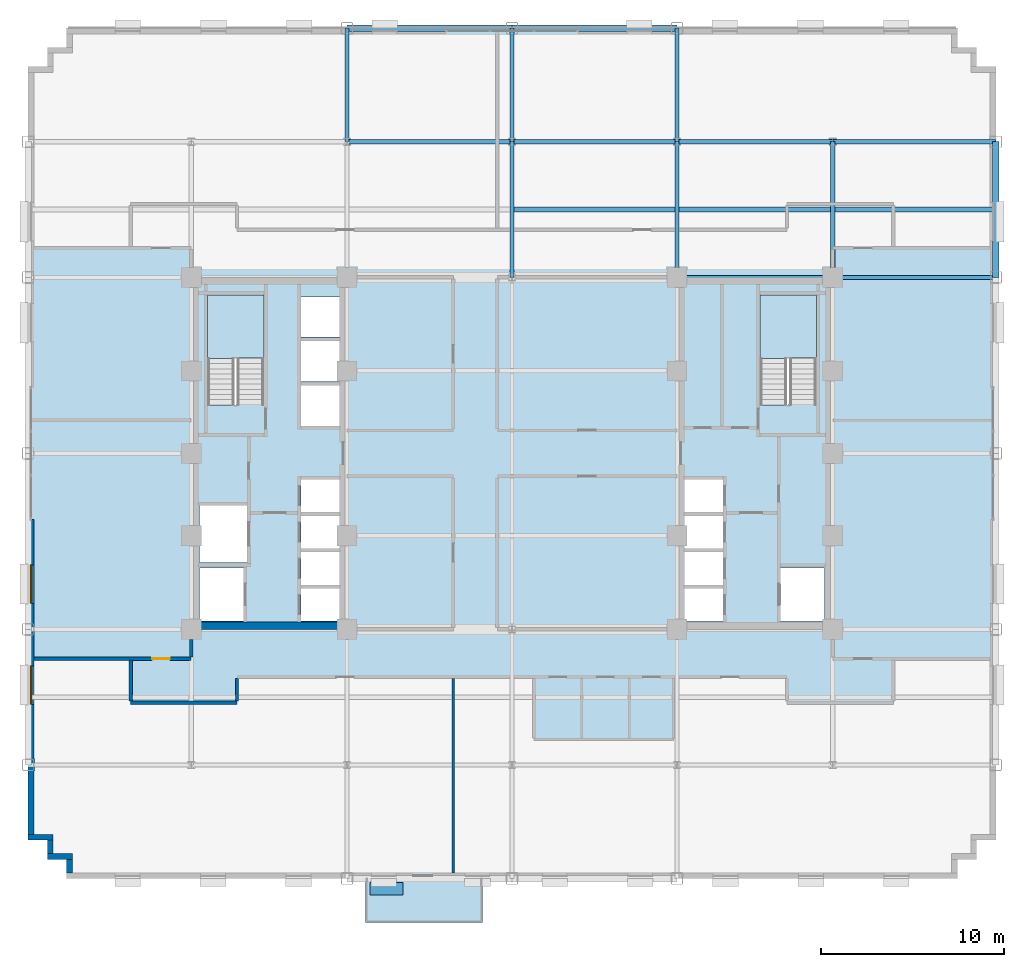
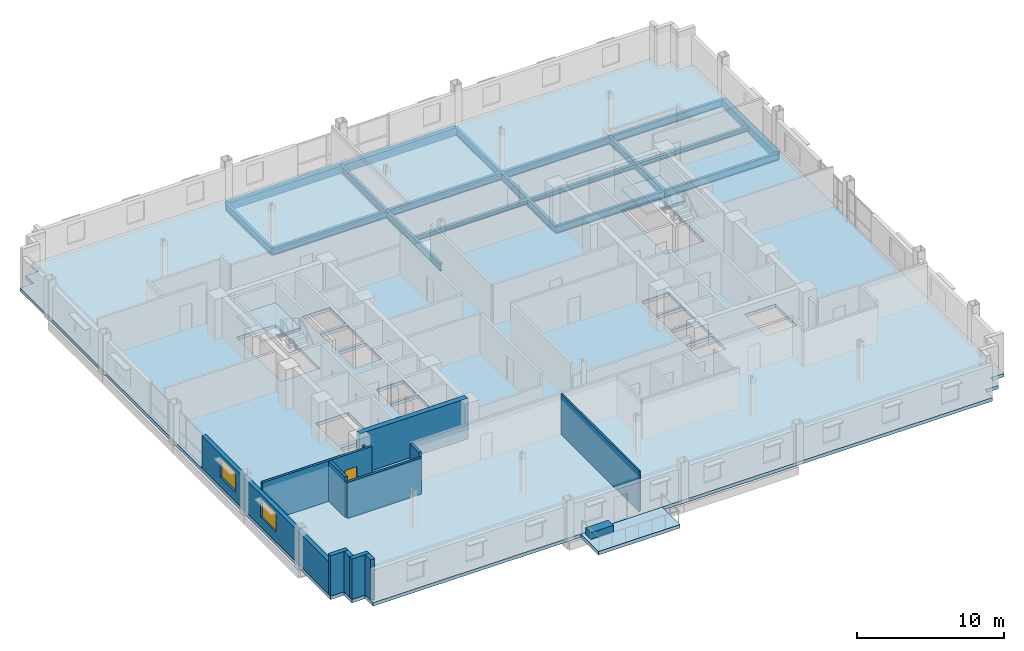
# One storey, part 5 of 17: 18 beams, 12 walls, 4 slabs, 2 windows, 1 door, 1 plate, 3 openings, 2 elements without a shape of their own.
"""IFC4 building model written with IfcOpenShell, lengths in metres."""

from ifc_helpers import new_model, si_unit, direction, frame, frame_2d, origin, origin_2d, place, context, subcontext, project, spatial, polyline, rectangle, i_section, outline, extrude, source, transform, mapped, material, layer, layer_set, material_profile, profile_set, type_object, type_shapes, element, fill, aggregate, save


model = new_model("IFC4")

# Units and contexts
model_context = context("Model", 3, precision=1e-05, world=origin(), true_north=direction((0.0, 1.0)))
body_context = subcontext(model_context, "Body", "Model", "MODEL_VIEW")
ifc_project = project(units=[si_unit("LENGTHUNIT", "METRE"), si_unit("AREAUNIT", "SQUARE_METRE"), si_unit("VOLUMEUNIT", "CUBIC_METRE"), si_unit("PLANEANGLEUNIT", "RADIAN"), si_unit("MASSUNIT", "GRAM", prefix="KILO")], contexts=[model_context])

# Site, building, storey
site_placement = place(None, origin())
site = spatial("IfcSite", under=ifc_project, at=site_placement, CompositionType="ELEMENT")
building_placement = place(site_placement, origin())
building = spatial("IfcBuilding", under=site, at=building_placement, Name="Nuvemarco Arch Tower", CompositionType="ELEMENT")
storey_placement = place(building_placement, frame((0.0, 0.0, 120.199951171875)))
storey = spatial("IfcBuildingStorey", under=building, at=storey_placement, Name="L31", CompositionType="ELEMENT", Elevation=120.199951171875)

# Beams
ifc_material_1 = material(Name="Steel S355", Category="steel")
ifc_material_profile_1 = material_profile(ifc_material_1, i_section(OverallWidth=0.22998046875, OverallDepth=0.616943359375, WebThickness=0.01318359375, FlangeThickness=0.022216796875, FilletRadius=0.01611328125, at=origin_2d()), Name="W610x140")
ifc_profile_set_1 = profile_set([ifc_material_profile_1], Name="Steel S355")
beam_type_1 = type_object("IfcBeamType", Name="BM-GIRD-610", PredefinedType="BEAM", material=ifc_profile_set_1)
beam_1_placement = place(storey_placement, frame((-9.0, 17.0, -0.58837890625), z_axis=(0.0, 1.0, 0.0), x_axis=(-1.0, 0.0, 0.0)))
element("IfcBeam", 1, at=beam_1_placement, inside=storey, type_object=beam_type_1, Name="L31 structural beam BGNS_L31_0_-9.0_+17.0", PredefinedType="BEAM", context=body_context, shape_type="SweptSolid", body=[
    extrude(i_section(OverallWidth=0.22998046875, OverallDepth=0.616943359375, WebThickness=0.01318359375, FlangeThickness=0.022216796875, FilletRadius=0.01611328125, at=origin_2d()), origin(), (0.0, 0.0, 1.0), 6.199951171875),
])
beam_2_placement = place(storey_placement, frame((0.0, 9.60009765625, -0.58837890625), z_axis=(0.0, 1.0, 0.0), x_axis=(-1.0, 0.0, 0.0)))
element("IfcBeam", 2, at=beam_2_placement, inside=storey, type_object=beam_type_1, Name="L31 structural beam BGNS_L31_0_+0.0_+9.6", PredefinedType="BEAM", context=body_context, shape_type="SweptSolid", body=[
    extrude(i_section(OverallWidth=0.22998046875, OverallDepth=0.616943359375, WebThickness=0.01318359375, FlangeThickness=0.022216796875, FilletRadius=0.01611328125, at=origin_2d()), origin(), (0.0, 0.0, 1.0), 7.39990234375),
])
beam_3_placement = place(storey_placement, frame((0.0, 17.0, -0.58837890625), z_axis=(0.0, 1.0, 0.0), x_axis=(-1.0, 0.0, 0.0)))
element("IfcBeam", 3, at=beam_3_placement, inside=storey, type_object=beam_type_1, Name="L31 structural beam BGNS_L31_0_+0.0_+17.0", PredefinedType="BEAM", context=body_context, shape_type="SweptSolid", body=[
    extrude(i_section(OverallWidth=0.22998046875, OverallDepth=0.616943359375, WebThickness=0.01318359375, FlangeThickness=0.022216796875, FilletRadius=0.01611328125, at=origin_2d()), origin(), (0.0, 0.0, 1.0), 6.199951171875),
])
beam_4_placement = place(storey_placement, frame((9.0, 9.60009765625, -0.58837890625), z_axis=(0.0, 1.0, 0.0), x_axis=(-1.0, 0.0, 0.0)))
element("IfcBeam", 4, at=beam_4_placement, inside=storey, type_object=beam_type_1, Name="L31 structural beam BGNS_L31_0_+9.0_+9.6", PredefinedType="BEAM", context=body_context, shape_type="SweptSolid", body=[
    extrude(i_section(OverallWidth=0.22998046875, OverallDepth=0.616943359375, WebThickness=0.01318359375, FlangeThickness=0.022216796875, FilletRadius=0.01611328125, at=origin_2d()), origin(), (0.0, 0.0, 1.0), 7.39990234375),
])
beam_5_placement = place(storey_placement, frame((9.0, 17.0, -0.58837890625), z_axis=(0.0, 1.0, 0.0), x_axis=(-1.0, 0.0, 0.0)))
element("IfcBeam", 5, at=beam_5_placement, inside=storey, type_object=beam_type_1, Name="L31 structural beam BGNS_L31_0_+9.0_+17.0", PredefinedType="BEAM", context=body_context, shape_type="SweptSolid", body=[
    extrude(i_section(OverallWidth=0.22998046875, OverallDepth=0.616943359375, WebThickness=0.01318359375, FlangeThickness=0.022216796875, FilletRadius=0.01611328125, at=origin_2d()), origin(), (0.0, 0.0, 1.0), 6.199951171875),
])
beam_6_placement = place(storey_placement, frame((17.5, 9.60009765625, -0.58837890625), z_axis=(0.0, 1.0, 0.0), x_axis=(-1.0, 0.0, 0.0)))
element("IfcBeam", 6, at=beam_6_placement, inside=storey, type_object=beam_type_1, Name="L31 structural beam BGNS_L31_0_+17.5_+9.6", PredefinedType="BEAM", context=body_context, shape_type="SweptSolid", body=[
    extrude(i_section(OverallWidth=0.22998046875, OverallDepth=0.616943359375, WebThickness=0.01318359375, FlangeThickness=0.022216796875, FilletRadius=0.01611328125, at=origin_2d()), origin(), (0.0, 0.0, 1.0), 7.39990234375),
])
beam_7_placement = place(storey_placement, frame((9.0, 9.60009765625, -0.58837890625), z_axis=(1.0, 0.0, 0.0), x_axis=(0.0, 1.0, 0.0)))
element("IfcBeam", 7, at=beam_7_placement, inside=storey, type_object=beam_type_1, Name="L31 structural beam BGEW_L31_0_+9.6_+9.0", PredefinedType="BEAM", context=body_context, shape_type="SweptSolid", body=[
    extrude(i_section(OverallWidth=0.22998046875, OverallDepth=0.616943359375, WebThickness=0.01318359375, FlangeThickness=0.022216796875, FilletRadius=0.01611328125, at=origin_2d()), origin(), (0.0, 0.0, 1.0), 8.5),
])
beam_8_placement = place(storey_placement, frame((17.5, 9.60009765625, -0.58837890625), z_axis=(1.0, 0.0, 0.0), x_axis=(0.0, 1.0, 0.0)))
element("IfcBeam", 8, at=beam_8_placement, inside=storey, type_object=beam_type_1, Name="L31 structural beam BGEW_L31_0_+9.6_+17.5", PredefinedType="BEAM", context=body_context, shape_type="SweptSolid", body=[
    extrude(i_section(OverallWidth=0.22998046875, OverallDepth=0.616943359375, WebThickness=0.01318359375, FlangeThickness=0.022216796875, FilletRadius=0.01611328125, at=origin_2d()), origin(), (0.0, 0.0, 1.0), 8.89990234375),
])
for number, where, z_axis, x_axis, name in (
    (9, (-9.0, 17.0, -0.58837890625), (1.0, 0.0, 0.0), (0.0, 1.0, 0.0), "L31 structural beam BGEW_L31_0_+17.0_-9.0"),
    (10, (0.0, 17.0, -0.58837890625), (1.0, 0.0, 0.0), (0.0, 1.0, 0.0), "L31 structural beam BGEW_L31_0_+17.0_+0.0"),
):
    element("IfcBeam", number, at=place(storey_placement, frame(where, z_axis=z_axis, x_axis=x_axis)), inside=storey, type_object=beam_type_1, Name=name, PredefinedType="BEAM", context=body_context, shape_type="SweptSolid", body=[
        extrude(i_section(OverallWidth=0.22998046875, OverallDepth=0.616943359375, WebThickness=0.01318359375, FlangeThickness=0.022216796875, FilletRadius=0.01611328125, at=origin_2d()), origin(), (0.0, 0.0, 1.0), 9.0),
    ])
beam_9_placement = place(storey_placement, frame((9.0, 17.0, -0.58837890625), z_axis=(1.0, 0.0, 0.0), x_axis=(0.0, 1.0, 0.0)))
element("IfcBeam", 11, at=beam_9_placement, inside=storey, type_object=beam_type_1, Name="L31 structural beam BGEW_L31_0_+17.0_+9.0", PredefinedType="BEAM", context=body_context, shape_type="SweptSolid", body=[
    extrude(i_section(OverallWidth=0.22998046875, OverallDepth=0.616943359375, WebThickness=0.01318359375, FlangeThickness=0.022216796875, FilletRadius=0.01611328125, at=origin_2d()), origin(), (0.0, 0.0, 1.0), 8.5),
])
beam_10_placement = place(storey_placement, frame((17.5, 17.0, -0.58837890625), z_axis=(1.0, 0.0, 0.0), x_axis=(0.0, 1.0, 0.0)))
element("IfcBeam", 12, at=beam_10_placement, inside=storey, type_object=beam_type_1, Name="L31 structural beam BGEW_L31_0_+17.0_+17.5", PredefinedType="BEAM", context=body_context, shape_type="SweptSolid", body=[
    extrude(i_section(OverallWidth=0.22998046875, OverallDepth=0.616943359375, WebThickness=0.01318359375, FlangeThickness=0.022216796875, FilletRadius=0.01611328125, at=origin_2d()), origin(), (0.0, 0.0, 1.0), 8.89990234375),
])
ifc_material_profile_2 = material_profile(ifc_material_1, i_section(OverallWidth=0.2548828125, OverallDepth=0.35693359375, WebThickness=0.010498046875, FlangeThickness=0.018310546875, FilletRadius=0.014892578125, at=origin_2d()), Name="W360x101")
ifc_profile_set_2 = profile_set([ifc_material_profile_2], Name="Steel S355")
beam_type_2 = type_object("IfcBeamType", Name="BM-JOIST-360H", PredefinedType="JOIST", material=ifc_profile_set_2)
beam_11_placement = place(storey_placement, frame((0.114990234375, 13.300048828125, -0.45849609375), z_axis=(1.0, 0.0, 0.0), x_axis=(0.0, 1.0, 0.0)))
element("IfcBeam", 13, at=beam_11_placement, inside=storey, type_object=beam_type_2, Name="L31 structural beam BJ_L31_0_+13.3_+0.0", PredefinedType="JOIST", context=body_context, shape_type="SweptSolid", body=[
    extrude(i_section(OverallWidth=0.2548828125, OverallDepth=0.35693359375, WebThickness=0.010498046875, FlangeThickness=0.018310546875, FilletRadius=0.014892578125, at=origin_2d()), origin(), (0.0, 0.0, 1.0), 8.77001953125),
])
beam_12_placement = place(storey_placement, frame((9.114990234375, 13.300048828125, -0.45849609375), z_axis=(1.0, 0.0, 0.0), x_axis=(0.0, 1.0, 0.0)))
element("IfcBeam", 14, at=beam_12_placement, inside=storey, type_object=beam_type_2, Name="L31 structural beam BJ_L31_0_+13.3_+9.0", PredefinedType="JOIST", context=body_context, shape_type="SweptSolid", body=[
    extrude(i_section(OverallWidth=0.2548828125, OverallDepth=0.35693359375, WebThickness=0.010498046875, FlangeThickness=0.018310546875, FilletRadius=0.014892578125, at=origin_2d()), origin(), (0.0, 0.0, 1.0), 8.27001953125),
])
beam_13_placement = place(storey_placement, frame((17.614990234375, 13.300048828125, -0.45849609375), z_axis=(1.0, 0.0, 0.0), x_axis=(0.0, 1.0, 0.0)))
element("IfcBeam", 15, at=beam_13_placement, inside=storey, type_object=beam_type_2, Name="L31 structural beam BJ_L31_0_+13.3_+17.5", PredefinedType="JOIST", context=body_context, shape_type="SweptSolid", body=[
    extrude(i_section(OverallWidth=0.2548828125, OverallDepth=0.35693359375, WebThickness=0.010498046875, FlangeThickness=0.018310546875, FilletRadius=0.014892578125, at=origin_2d()), origin(), (0.0, 0.0, 1.0), 8.610107421875),
])
ifc_material_2 = material(Name="Precast concrete C45/55", Category="concrete")
ifc_material_profile_3 = material_profile(ifc_material_2, rectangle(XDim=0.35009765625, YDim=0.64990234375, at=origin_2d()), Name="PC-SP-350x650")
ifc_profile_set_3 = profile_set([ifc_material_profile_3], Name="Precast concrete C45/55")
beam_type_3 = type_object("IfcBeamType", Name="BM-SPAN-RC", PredefinedType="SPANDREL", material=ifc_profile_set_3)
beam_14_placement = place(storey_placement, frame((26.39990234375, 9.60009765625, -0.60498046875), z_axis=(0.0, 1.0, 0.0), x_axis=(-1.0, 0.0, 0.0)))
element("IfcBeam", 16, at=beam_14_placement, inside=storey, type_object=beam_type_3, Name="L31 structural beam BGNS_L31_0_+26.4_+9.6", PredefinedType="SPANDREL", context=body_context, shape_type="SweptSolid", body=[
    extrude(rectangle(XDim=0.35009765625, YDim=0.64990234375, at=origin_2d()), origin(), (0.0, 0.0, 1.0), 7.39990234375),
])
for number, where, z_axis, x_axis, name in (
    (17, (-9.0, 23.199951171875, -0.60498046875), (1.0, 0.0, 0.0), (0.0, 1.0, 0.0), "L31 structural beam BGEW_L31_0_+23.2_-9.0"),
    (18, (0.0, 23.199951171875, -0.60498046875), (1.0, 0.0, 0.0), (0.0, 1.0, 0.0), "L31 structural beam BGEW_L31_0_+23.2_+0.0"),
):
    element("IfcBeam", number, at=place(storey_placement, frame(where, z_axis=z_axis, x_axis=x_axis)), inside=storey, type_object=beam_type_3, Name=name, PredefinedType="SPANDREL", context=body_context, shape_type="SweptSolid", body=[
        extrude(rectangle(XDim=0.35009765625, YDim=0.64990234375, at=origin_2d()), origin(), (0.0, 0.0, 1.0), 9.0),
    ])

# Slab
ifc_material_3 = material(Name="Concrete C50/60", Category="concrete")
ifc_layer_1 = layer(ifc_material_3, 0.280029296875, Name="SL-FLR-280")
ifc_layer_set_1 = layer_set([ifc_layer_1], Name="Concrete C50/60")
slab_type_1 = type_object("IfcSlabType", Name="SL-FLR-280", PredefinedType="FLOOR", material=ifc_layer_set_1)
slab_1_placement = place(storey_placement, frame((0.0, 0.0, -0.280029296875)))
element("IfcSlab", 19, at=slab_1_placement, inside=storey, type_object=slab_type_1, Name="L31 structural floor slab", PredefinedType="FLOOR", context=body_context, shape_type="SweptSolid", body=[
    extrude(outline(polyline([(-24.300048828125, -23.199951171875), (24.300048828125, -23.199951171875), (24.300048828125, -22.14990234375), (25.35009765625, -22.14990234375), (25.35009765625, -21.10009765625), (26.39990234375, -21.10009765625), (26.39990234375, 21.10009765625), (25.35009765625, 21.10009765625), (25.35009765625, 22.14990234375), (24.300048828125, 22.14990234375), (24.300048828125, 23.199951171875), (-24.300048828125, 23.199951171875), (-24.300048828125, 22.14990234375), (-25.35009765625, 22.14990234375), (-25.35009765625, 21.10009765625), (-26.39990234375, 21.10009765625), (-26.39990234375, -21.10009765625), (-25.35009765625, -21.10009765625), (-25.35009765625, -22.14990234375), (-24.300048828125, -22.14990234375), (-24.300048828125, -23.199951171875)]), holes=[polyline([(-13.5400390625, 2.669921875), (-13.5400390625, 8.64990234375), (-16.60009765625, 8.64990234375), (-16.60009765625, 2.630615234375), (-15.070068359375, 2.630615234375), (-15.070068359375, 2.669921875), (-13.5400390625, 2.669921875)]), polyline([(16.60009765625, 2.669921875), (16.60009765625, 8.64990234375), (13.5400390625, 8.64990234375), (13.5400390625, 2.630615234375), (15.070068359375, 2.630615234375), (15.070068359375, 2.669921875), (16.60009765625, 2.669921875)]), polyline([(-17.050048828125, -9.14990234375), (-14.64990234375, -9.14990234375), (-14.64990234375, -6.25), (-17.050048828125, -6.25), (-17.050048828125, -9.14990234375)]), polyline([(-17.050048828125, -5.949951171875), (-14.449951171875, -5.949951171875), (-14.449951171875, -2.85009765625), (-17.050048828125, -2.85009765625), (-17.050048828125, -5.949951171875)]), polyline([(-11.5, -9.14990234375), (-9.35009765625, -9.14990234375), (-9.35009765625, -7.3701171875), (-11.5, -7.3701171875), (-11.5, -9.14990234375)]), polyline([(-11.5, -7.169921875), (-9.35009765625, -7.169921875), (-9.35009765625, -5.389892578125), (-11.5, -5.389892578125), (-11.5, -7.169921875)]), polyline([(-11.5, -5.18994140625), (-9.35009765625, -5.18994140625), (-9.35009765625, -3.409912109375), (-11.5, -3.409912109375), (-11.5, -5.18994140625)]), polyline([(-11.5, -3.2099609375), (-9.35009765625, -3.2099609375), (-9.35009765625, -1.429931640625), (-11.5, -1.429931640625), (-11.5, -3.2099609375)]), polyline([(-11.5, 1.5), (-9.35009765625, 1.5), (-9.35009765625, 3.699951171875), (-11.5, 3.699951171875), (-11.5, 1.5)]), polyline([(-11.5, 3.919921875), (-9.35009765625, 3.919921875), (-9.35009765625, 6.1201171875), (-11.5, 6.1201171875), (-11.5, 3.919921875)]), polyline([(-11.5, 6.340087890625), (-9.35009765625, 6.340087890625), (-9.35009765625, 8.5400390625), (-11.5, 8.5400390625), (-11.5, 6.340087890625)]), polyline([(14.64990234375, -9.14990234375), (17.050048828125, -9.14990234375), (17.050048828125, -6.25), (14.64990234375, -6.25), (14.64990234375, -9.14990234375)]), polyline([(9.35009765625, -9.14990234375), (11.5, -9.14990234375), (11.5, -7.3701171875), (9.35009765625, -7.3701171875), (9.35009765625, -9.14990234375)]), polyline([(9.35009765625, -7.169921875), (11.5, -7.169921875), (11.5, -5.389892578125), (9.35009765625, -5.389892578125), (9.35009765625, -7.169921875)]), polyline([(9.35009765625, -5.18994140625), (11.5, -5.18994140625), (11.5, -3.409912109375), (9.35009765625, -3.409912109375), (9.35009765625, -5.18994140625)]), polyline([(9.35009765625, -3.2099609375), (11.5, -3.2099609375), (11.5, -1.429931640625), (9.35009765625, -1.429931640625), (9.35009765625, -3.2099609375)])]), origin(), (0.0, 0.0, 1.0), 0.280029296875),
])

# Stair, slab
stair_type = type_object("IfcStairType", Name="ST-CORE-20R", PredefinedType="HALF_TURN_STAIR", material=ifc_material_2)
stair_1_placement = place(storey_placement, origin())
stair_1 = element("IfcStair", 20, at=stair_1_placement, inside=storey, type_object=stair_type, Name="L31 Protected Exit Stair ST-1", PredefinedType="HALF_TURN_STAIR")
ifc_layer_2 = layer(ifc_material_2, 0.199951171875, Name="SL-LANDING-200")
ifc_layer_set_2 = layer_set([ifc_layer_2], Name="Precast concrete C45/55")
slab_type_2 = type_object("IfcSlabType", Name="SL-LANDING-200", PredefinedType="LANDING", material=ifc_layer_set_2)
slab_2_placement = place(storey_placement, frame((0.0, 0.0, 1.625)))
slab_2 = element("IfcSlab", 21, at=slab_2_placement, type_object=slab_type_2, Name="ST-20R landing 1", PredefinedType="LANDING", context=body_context, shape_type="SweptSolid", body=[
    extrude(outline(polyline([(-13.5400390625, 5.189453125), (-13.5400390625, 8.64990234375), (-16.60009765625, 8.64990234375), (-16.60009765625, 5.169921875), (-15.070068359375, 5.169921875), (-15.070068359375, 5.189453125), (-13.5400390625, 5.189453125)])), origin(), (0.0, 0.0, 1.0), 0.199951171875),
])
aggregate(stair_1, [slab_2])

stair_2_placement = place(storey_placement, origin())
stair_2 = element("IfcStair", 22, at=stair_2_placement, inside=storey, type_object=stair_type, Name="L31 Protected Exit Stair ST-2", PredefinedType="HALF_TURN_STAIR")
slab_3_placement = place(storey_placement, frame((0.0, 0.0, 1.625)))
slab_3 = element("IfcSlab", 23, at=slab_3_placement, type_object=slab_type_2, Name="ST-20R landing 1", PredefinedType="LANDING", context=body_context, shape_type="SweptSolid", body=[
    extrude(outline(polyline([(16.60009765625, 5.189453125), (16.60009765625, 8.64990234375), (13.5400390625, 8.64990234375), (13.5400390625, 5.169921875), (15.070068359375, 5.169921875), (15.070068359375, 5.189453125), (16.60009765625, 5.189453125)])), origin(), (0.0, 0.0, 1.0), 0.199951171875),
])
aggregate(stair_2, [slab_3])

# Slab
ifc_layer_3 = layer(ifc_material_3, 0.294921875, Name="SL-TR4")
ifc_layer_set_3 = layer_set([ifc_layer_3], Name="Concrete C50/60")
slab_type_3 = type_object("IfcSlabType", Name="SL-TR4", PredefinedType="FLOOR", material=ifc_layer_set_3)
slab_4_placement = place(storey_placement, frame((0.0, 0.0, -0.294921875)))
element("IfcSlab", 24, at=slab_4_placement, inside=storey, type_object=slab_type_3, Name="L31 outdoor spiral terrace slab 1", PredefinedType="FLOOR", context=body_context, shape_type="SweptSolid", body=[
    extrude(outline(polyline([(-8.0, -25.60009765625), (-1.60009765625, -25.60009765625), (-1.60009765625, -23.199951171875), (-8.0, -23.199951171875), (-8.0, -25.60009765625)])), origin(), (0.0, 0.0, 1.0), 0.294921875),
])

# Plate
ifc_layer_4 = layer(ifc_material_2, 0.550048828125, Name="Tree Balcony Structural Planter")
ifc_layer_set_4 = layer_set([ifc_layer_4], Name="Precast concrete C45/55")
plate_type = type_object("IfcPlateType", Name="Tree Balcony Structural Planter", PredefinedType="USERDEFINED", material=ifc_layer_set_4)
shared_shape_1 = source(origin(), body_context, "Body", "SweptSolid", [
    extrude(rectangle(XDim=1.800048828125, YDim=0.699951171875, at=origin_2d()), origin(), (0.0, 0.0, 1.0), 0.550048828125),
])
type_shapes(plate_type, [shared_shape_1])
plate_placement = place(storey_placement, frame((-6.85009765625, -23.75, 0.0), z_axis=(0.0, 0.0, 1.0), x_axis=(1.0, 0.0, 0.0)))
element("IfcPlate", 25, at=plate_placement, inside=storey, type_object=plate_type, Name="L31 Tree Balcony Structural Planter", ObjectType="PLANTER", PredefinedType="USERDEFINED", context=body_context, shape_type="MappedRepresentation", body=[
    mapped(shared_shape_1, transform((0.0, 0.0, 0.0), scale=1.0)),
])

# Wall, openings, windows
ifc_layer_5 = layer(ifc_material_2, 0.320068359375, Name="EW-MID-320")
ifc_layer_set_5 = layer_set([ifc_layer_5], Name="Precast concrete C45/55")
wall_type_1 = type_object("IfcWallType", Name="EW-MID-320", PredefinedType="STANDARD", material=ifc_layer_set_5)
wall_1_placement = place(storey_placement, frame((-26.239990234375, -20.783935546875, 0.0), z_axis=(0.0, 0.0, 1.0), x_axis=(0.0, 1.0, 0.0)))
wall_1 = element("IfcWall", 26, at=wall_1_placement, inside=storey, type_object=wall_type_1, Name="L31 exterior precast pier wall west left", PredefinedType="STANDARD", context=body_context, shape_type="SweptSolid", body=[
    extrude(rectangle(XDim=17.183837890625, YDim=0.320068359375, at=frame_2d((8.591796875, 0.0))), origin(), (0.0, 0.0, 1.0), 2.705078125),
])
opening_1_placement = place(wall_1_placement, frame((7.092041015625, 0.0, 0.800048828125)))
opening_1 = element("IfcOpeningElement", 27, at=opening_1_placement, cuts=wall_1, Name="Opening WN-5", PredefinedType="OPENING", context=body_context, shape_type="SweptSolid", body=[
    extrude(rectangle(XDim=2.10009765625, YDim=1.56005859375, at=frame_2d((1.050048828125, 0.780029296875))), frame((0.0, 0.169921875, 0.0), z_axis=(0.0, -1.0, 0.0), x_axis=(1.0, 0.0, 0.0)), (0.0, 0.0, 1.0), 0.340087890625),
])
opening_2_placement = place(wall_1_placement, frame((12.603271484375, 0.0, 0.800048828125)))
opening_2 = element("IfcOpeningElement", 28, at=opening_2_placement, cuts=wall_1, Name="Opening WN-5", PredefinedType="OPENING", context=body_context, shape_type="SweptSolid", body=[
    extrude(rectangle(XDim=2.10009765625, YDim=1.56005859375, at=frame_2d((1.050048828125, 0.780029296875))), frame((0.0, 0.169921875, 0.0), z_axis=(0.0, -1.0, 0.0), x_axis=(1.0, 0.0, 0.0)), (0.0, 0.0, 1.0), 0.340087890625),
])
ifc_material_4 = material(Name="Insulated solar-control glass", Category="glass")
window_type = type_object("IfcWindowType", Name="WN-MID-2100x1560", PartitioningType="DOUBLE_PANEL_VERTICAL", PredefinedType="WINDOW", material=ifc_material_4)
shared_shape_2 = source(origin(), body_context, "Body", "SweptSolid", [
    extrude(rectangle(XDim=2.10009765625, YDim=1.56005859375, at=frame_2d((1.050048828125, 0.780029296875))), frame((0.0, 0.030029296875, 0.0), z_axis=(0.0, -1.0, 0.0), x_axis=(1.0, 0.0, 0.0)), (0.0, 0.0, 1.0), 0.06005859375),
])
type_shapes(window_type, [shared_shape_2])
window_1_placement = place(opening_1_placement, origin())
window_1 = element("IfcWindow", 29, at=window_1_placement, inside=storey, type_object=window_type, Name="L31 punched facade window 2", OverallHeight=1.56005859375, OverallWidth=2.10009765625, PartitioningType="SINGLE_PANEL", PredefinedType="WINDOW", context=body_context, shape_type="MappedRepresentation", body=[
    mapped(shared_shape_2, transform((0.0, 0.0, 0.0), scale=1.0)),
])
fill(opening_1, window_1)
window_2_placement = place(opening_2_placement, origin())
window_2 = element("IfcWindow", 30, at=window_2_placement, inside=storey, type_object=window_type, Name="L31 punched facade window 3", OverallHeight=1.56005859375, OverallWidth=2.10009765625, PartitioningType="SINGLE_PANEL", PredefinedType="WINDOW", context=body_context, shape_type="MappedRepresentation", body=[
    mapped(shared_shape_2, transform((0.0, 0.0, 0.0), scale=1.0)),
])
fill(opening_2, window_2)

# Walls
wall_2_placement = place(storey_placement, frame((-26.39990234375, -20.93994140625, 0.0), z_axis=(0.0, 0.0, 1.0), x_axis=(1.0, 0.0, 0.0)))
element("IfcWall", 31, at=wall_2_placement, inside=storey, type_object=wall_type_1, Name="L31 exterior precast facade wall 17", PredefinedType="STANDARD", context=body_context, shape_type="SweptSolid", body=[
    extrude(rectangle(XDim=1.369873046875, YDim=0.320068359375, at=frame_2d((0.68505859375, 0.0))), origin(), (0.0, 0.0, 1.0), 3.360107421875),
])
wall_3_placement = place(storey_placement, frame((-25.18994140625, -21.833984375, 0.0), z_axis=(0.0, 0.0, 1.0), x_axis=(0.0, 1.0, 0.0)))
element("IfcWall", 32, at=wall_3_placement, inside=storey, type_object=wall_type_1, Name="L31 exterior precast facade wall 18", PredefinedType="STANDARD", context=body_context, shape_type="SweptSolid", body=[
    extrude(rectangle(XDim=0.738037109375, YDim=0.320068359375, at=frame_2d((0.369140625, 0.0))), origin(), (0.0, 0.0, 1.0), 3.360107421875),
])
wall_4_placement = place(storey_placement, frame((-25.35009765625, -21.989990234375, 0.0), z_axis=(0.0, 0.0, 1.0), x_axis=(1.0, 0.0, 0.0)))
element("IfcWall", 33, at=wall_4_placement, inside=storey, type_object=wall_type_1, Name="L31 exterior precast facade wall 19", PredefinedType="STANDARD", context=body_context, shape_type="SweptSolid", body=[
    extrude(rectangle(XDim=1.3701171875, YDim=0.320068359375, at=frame_2d((0.68505859375, 0.0))), origin(), (0.0, 0.0, 1.0), 3.360107421875),
])
wall_5_placement = place(storey_placement, frame((-24.139892578125, -22.884033203125, 0.0), z_axis=(0.0, 0.0, 1.0), x_axis=(0.0, 1.0, 0.0)))
element("IfcWall", 34, at=wall_5_placement, inside=storey, type_object=wall_type_1, Name="L31 exterior precast facade wall 20", PredefinedType="STANDARD", context=body_context, shape_type="SweptSolid", body=[
    extrude(rectangle(XDim=0.738037109375, YDim=0.320068359375, at=frame_2d((0.369140625, 0.0))), origin(), (0.0, 0.0, 1.0), 3.360107421875),
])
ifc_material_5 = material(Name="Concrete C60/75", Category="concrete")
ifc_layer_6 = layer(ifc_material_5, 0.39990234375, Name="WL-CORE-400")
ifc_layer_set_6 = layer_set([ifc_layer_6], Name="Concrete C60/75")
wall_type_2 = type_object("IfcWallType", Name="WL-CORE-400", PredefinedType="SHEAR", material=ifc_layer_set_6)
wall_6_placement = place(storey_placement, frame((-17.5, -9.39990234375, 0.0), z_axis=(0.0, 0.0, 1.0), x_axis=(1.0, 0.0, 0.0)))
element("IfcWall", 35, at=wall_6_placement, inside=storey, type_object=wall_type_2, Name="L31 W-core shear wall S", PredefinedType="SHEAR", context=body_context, shape_type="SweptSolid", body=[
    extrude(rectangle(XDim=8.5, YDim=0.39990234375, at=frame_2d((4.25, 0.0))), origin(), (0.0, 0.0, 1.0), 3.3701171875),
])
ifc_material_6 = material(Name="Fire-rated gypsum drywall partition")
ifc_layer_7 = layer(ifc_material_6, 0.179931640625, Name="WL-CORR-180")
ifc_layer_set_7 = layer_set([ifc_layer_7], Name="Fire-rated gypsum drywall partition")
wall_type_3 = type_object("IfcWallType", Name="WL-CORR-180", PredefinedType="PARTITIONING", material=ifc_layer_set_7)
wall_7_placement = place(storey_placement, frame((-20.800048828125, -13.60009765625, 0.0), z_axis=(0.0, 0.0, 1.0), x_axis=(1.0, 0.0, 0.0)))
element("IfcWall", 36, at=wall_7_placement, inside=storey, type_object=wall_type_3, Name="L31 interior wall IW-L31-002", PredefinedType="PARTITIONING", context=body_context, shape_type="SweptSolid", body=[
    extrude(rectangle(XDim=5.800048828125, YDim=0.179931640625, at=frame_2d((2.89990234375, 0.0))), origin(), (0.0, 0.0, 1.0), 2.998046875),
])

# Wall, opening, door
wall_8_placement = place(storey_placement, frame((-26.080078125, -11.199951171875, 0.0), z_axis=(0.0, 0.0, 1.0), x_axis=(1.0, 0.0, 0.0)))
wall_8 = element("IfcWall", 37, at=wall_8_placement, inside=storey, type_object=wall_type_3, Name="L31 interior wall IW-L31-005", PredefinedType="PARTITIONING", context=body_context, shape_type="SweptSolid", body=[
    extrude(rectangle(XDim=8.580078125, YDim=0.179931640625, at=frame_2d((4.2900390625, 0.0))), origin(), (0.0, 0.0, 1.0), 3.360107421875),
])
opening_3_placement = place(wall_8_placement, frame((6.449951171875, 0.0, 0.0)))
opening_3 = element("IfcOpeningElement", 38, at=opening_3_placement, cuts=wall_8, Name="Opening FD-5", PredefinedType="OPENING", context=body_context, shape_type="SweptSolid", body=[
    extrude(rectangle(XDim=0.9599609375, YDim=2.10009765625, at=frame_2d((0.47998046875, 1.050048828125))), frame((0.0, 0.099853515625, 0.0), z_axis=(0.0, -1.0, 0.0), x_axis=(1.0, 0.0, 0.0)), (0.0, 0.0, 1.0), 0.199951171875),
])
ifc_material_7 = material(Name="Timber fire door", Category="wood")
door_type = type_object("IfcDoorType", Name="DR-CORR-FD", OperationType="NOTDEFINED", PredefinedType="DOOR", material=ifc_material_7)
shared_shape_3 = source(origin(), body_context, "Body", "SweptSolid", [
    extrude(rectangle(XDim=0.9599609375, YDim=2.10009765625, at=frame_2d((0.47998046875, 1.050048828125))), frame((0.0, 0.02490234375, 0.0), z_axis=(0.0, -1.0, 0.0), x_axis=(1.0, 0.0, 0.0)), (0.0, 0.0, 1.0), 0.050048828125),
])
type_shapes(door_type, [shared_shape_3])
door_placement = place(opening_3_placement, origin())
door = element("IfcDoor", 39, at=door_placement, inside=storey, type_object=door_type, Name="L31 door DR-L31-W_1", OperationType="SINGLE_SWING_LEFT", OverallHeight=2.10009765625, OverallWidth=0.9599609375, PredefinedType="DOOR", context=body_context, shape_type="MappedRepresentation", body=[
    mapped(shared_shape_3, transform((0.0, 0.0, 0.0), scale=1.0)),
])
fill(opening_3, door)

# Walls
wall_9_placement = place(storey_placement, frame((-20.800048828125, -13.513916015625, 0.0), z_axis=(0.0, 0.0, 1.0), x_axis=(0.0, 1.0, 0.0)))
element("IfcWall", 40, at=wall_9_placement, inside=storey, type_object=wall_type_3, Name="L31 interior wall IW-L31-024", PredefinedType="PARTITIONING", context=body_context, shape_type="SweptSolid", body=[
    extrude(rectangle(XDim=2.22802734375, YDim=0.179931640625, at=frame_2d((1.114013671875, 0.0))), origin(), (0.0, 0.0, 1.0), 3.360107421875),
])
wall_10_placement = place(storey_placement, frame((-17.5, -11.114013671875, 0.0), z_axis=(0.0, 0.0, 1.0), x_axis=(0.0, 1.0, 0.0)))
element("IfcWall", 41, at=wall_10_placement, inside=storey, type_object=wall_type_3, Name="L31 interior wall IW-L31-026", PredefinedType="PARTITIONING", context=body_context, shape_type="SweptSolid", body=[
    extrude(rectangle(XDim=0.968017578125, YDim=0.179931640625, at=frame_2d((0.48388671875, 0.0))), origin(), (0.0, 0.0, 1.0), 2.816162109375),
])
wall_11_placement = place(storey_placement, frame((-15.0, -13.513916015625, 0.0), z_axis=(0.0, 0.0, 1.0), x_axis=(0.0, 1.0, 0.0)))
element("IfcWall", 42, at=wall_11_placement, inside=storey, type_object=wall_type_3, Name="L31 interior wall IW-L31-028", PredefinedType="PARTITIONING", context=body_context, shape_type="SweptSolid", body=[
    extrude(rectangle(XDim=1.22802734375, YDim=0.179931640625, at=frame_2d((0.614013671875, 0.0))), origin(), (0.0, 0.0, 1.0), 3.360107421875),
])
ifc_material_8 = material(Name="Glazed acoustic office partition")
ifc_layer_8 = layer(ifc_material_8, 0.1298828125, Name="WL-EXEC-130")
ifc_layer_set_8 = layer_set([ifc_layer_8], Name="Glazed acoustic office partition")
wall_type_4 = type_object("IfcWallType", Name="WL-EXEC-130", PredefinedType="PARTITIONING", material=ifc_layer_set_8)
wall_12_placement = place(storey_placement, frame((-3.199951171875, -22.8798828125, 0.0), z_axis=(0.0, 0.0, 1.0), x_axis=(0.0, 1.0, 0.0)))
element("IfcWall", 43, at=wall_12_placement, inside=storey, type_object=wall_type_4, Name="L31 interior wall IW-L31-030", PredefinedType="PARTITIONING", context=body_context, shape_type="SweptSolid", body=[
    extrude(rectangle(XDim=10.593994140625, YDim=0.1298828125, at=frame_2d((5.296875, 0.0))), origin(), (0.0, 0.0, 1.0), 3.360107421875),
])

save(model, "model.ifc")
